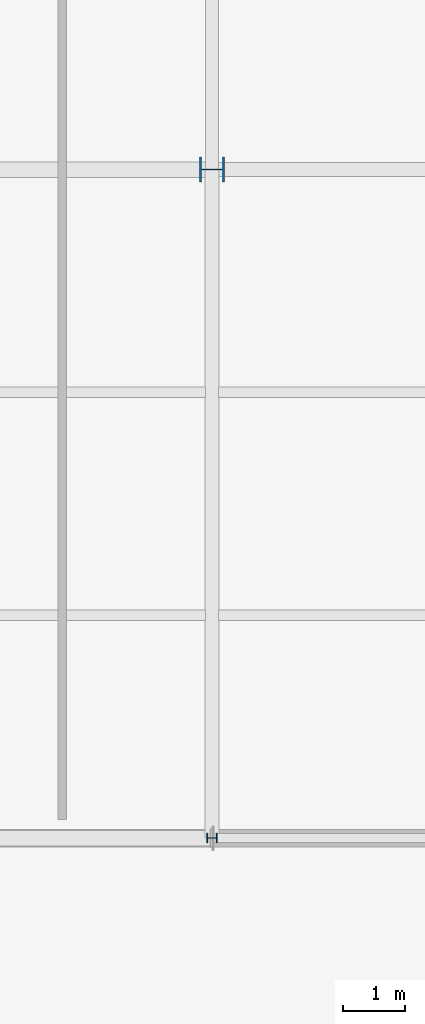
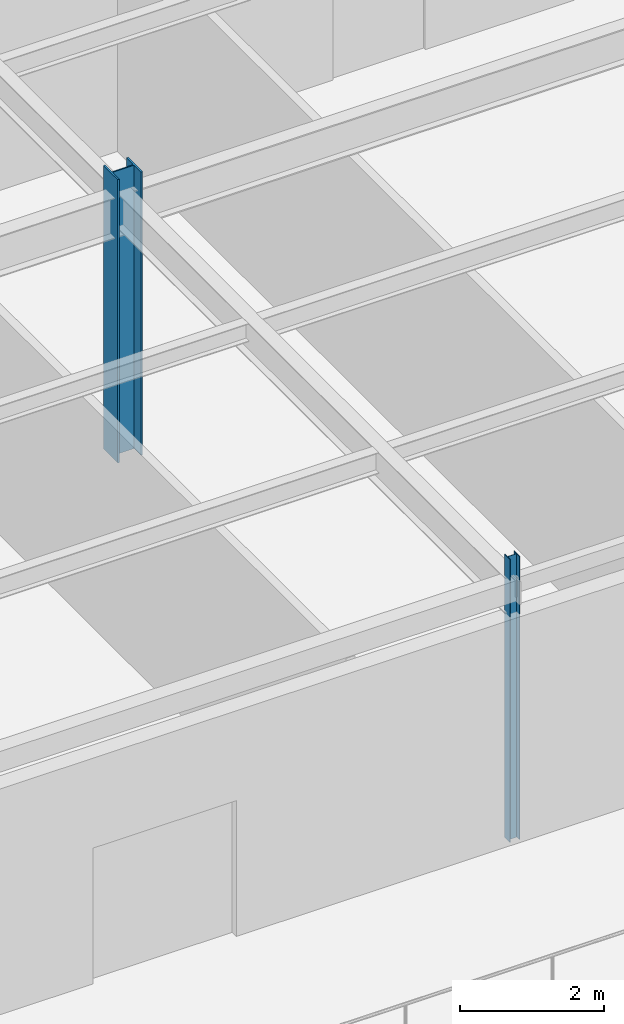
# One storey, part 42 of 199: 2 columns.
"""IFC4 building model written with IfcOpenShell, lengths in metres."""

import ifcopenshell
import ifcopenshell.guid

model = None  # the IFC model being written
_history = None  # IfcOwnerHistory: only IFC2X3 demands one
_inside = {}  # id of a spatial element -> (the spatial element, [elements in it])
_under = {}  # id of a project, library or spatial element -> (it, [spatial elements below it])
_declared = {}  # id of a project -> (the project, [libraries it declares])
_typed = {}  # id of a type object -> (the type object, [elements of that type])
_made_of = {}  # id of a material, layer set ... -> (it, [elements and type objects made of it])


def new_model(schema):
    """Start an empty IFC model of exactly this schema.

    Asked for "IFC4X3", IfcOpenShell would pick the latest addendum, in which some entities
    have other attributes; the version numbers below select the first issue.
    IFC2X3 requires an IfcOwnerHistory on every rooted entity: one is made here for all.
    """
    global model, _history
    if schema == "IFC4X3":
        model = ifcopenshell.file(schema_version=(4, 3, 0, 0))
    else:
        model = ifcopenshell.file(schema=schema)
    _inside.clear()
    _under.clear()
    _declared.clear()
    _typed.clear()
    _made_of.clear()
    _history = None
    if model.schema == "IFC2X3":
        org = make("IfcOrganization", Name="unknown")
        user = make(
            "IfcPersonAndOrganization",
            ThePerson=make("IfcPerson", FamilyName="unknown"),
            TheOrganization=org,
        )
        app = make(
            "IfcApplication",
            ApplicationDeveloper=org,
            Version="unknown",
            ApplicationFullName="unknown",
            ApplicationIdentifier="unknown",
        )
        _history = make(
            "IfcOwnerHistory",
            OwningUser=user,
            OwningApplication=app,
            ChangeAction="ADDED",
            CreationDate=0,
        )
    return model


def make(cls, **values):
    """One entity of the class cls with the attributes given. An attribute that is None is left unset."""
    return model.create_entity(
        cls, **{name: value for name, value in values.items() if value is not None}
    )


def rooted(cls, **values):
    """An entity with a GlobalId (a new one), such as an element, a storey or a relation."""
    return make(cls, GlobalId=ifcopenshell.guid.new(), OwnerHistory=_history, **values)


def si_unit(unit_type, name, prefix=None):
    """IfcSIUnit, for example si_unit("LENGTHUNIT", "METRE", prefix="MILLI")."""
    return make("IfcSIUnit", UnitType=unit_type, Prefix=prefix, Name=name)


def assignment(units):
    """IfcUnitAssignment: the units of a project."""
    return None if units is None else make("IfcUnitAssignment", Units=units)


def point(xyz):
    """IfcCartesianPoint."""
    return None if xyz is None else make("IfcCartesianPoint", Coordinates=xyz)


def direction(xyz):
    """IfcDirection."""
    return None if xyz is None else make("IfcDirection", DirectionRatios=xyz)


def frame(location, z_axis=None, x_axis=None):
    """IfcAxis2Placement3D, a coordinate frame: its origin and axes. An axis left out is left unset."""
    return make(
        "IfcAxis2Placement3D",
        Location=point(location),
        Axis=direction(z_axis),
        RefDirection=direction(x_axis),
    )


def frame_2d(location, x_axis=None):
    """IfcAxis2Placement2D, a coordinate frame in the plane: its origin and x axis."""
    return make(
        "IfcAxis2Placement2D", Location=point(location), RefDirection=direction(x_axis)
    )


def origin():
    """The frame at (0, 0, 0) with its axes left unset."""
    return frame((0.0, 0.0, 0.0))


def origin_2d():
    """The frame at (0, 0) in the plane with its x axis left unset."""
    return frame_2d((0.0, 0.0))


def place(relative_to, where):
    """IfcLocalPlacement: puts the frame where relative to a parent placement (None: the world)."""
    return make(
        "IfcLocalPlacement", PlacementRelTo=relative_to, RelativePlacement=where
    )


def context(
    kind, dimensions, precision=None, world=None, true_north=None, identifier=None
):
    """IfcGeometricRepresentationContext, for example the 3D "Model" context."""
    return make(
        "IfcGeometricRepresentationContext",
        ContextIdentifier=identifier,
        ContextType=kind,
        CoordinateSpaceDimension=dimensions,
        Precision=precision,
        WorldCoordinateSystem=world,
        TrueNorth=true_north,
    )


def subcontext(parent, identifier, kind, view, scale=None):
    """IfcGeometricRepresentationSubContext, for example "Body" below "Model"."""
    return make(
        "IfcGeometricRepresentationSubContext",
        ContextIdentifier=identifier,
        ContextType=kind,
        ParentContext=parent,
        TargetScale=scale,
        TargetView=view,
    )


def project(units=None, contexts=None):
    """IfcProject with its units and contexts."""
    return rooted(
        "IfcProject",
        Name="project",
        RepresentationContexts=contexts,
        UnitsInContext=assignment(units),
    )


def spatial(cls, under=None, at=None, **own):
    """A site, building, storey or space (cls), placed at a placement, below another one or the project."""
    s = rooted(cls, ObjectPlacement=at, **own)
    if under is not None:
        _under.setdefault(under.id(), (under, []))[1].append(s)
    return s


def profile(cls, at=None, kind="AREA", **sizes):
    """A parametric profile (cls). Its sizes go by their IFC names, for example OverallWidth=200.0."""
    return make(cls, ProfileType=kind, Position=at, **sizes)


def i_section(**sizes):
    """IfcIShapeProfileDef."""
    return profile("IfcIShapeProfileDef", **sizes)


def extrude(swept, where, along, depth):
    """IfcExtrudedAreaSolid: the profile swept, set in the frame where, extruded along a direction by depth."""
    return make(
        "IfcExtrudedAreaSolid",
        SweptArea=swept,
        Position=where,
        ExtrudedDirection=direction(along),
        Depth=depth,
    )


def shape(context_of_items, identifier, shape_type, items):
    """IfcShapeRepresentation: the items that make up one representation, for example the "Body"."""
    return make(
        "IfcShapeRepresentation",
        ContextOfItems=context_of_items,
        RepresentationIdentifier=identifier,
        RepresentationType=shape_type,
        Items=items,
    )


def material(Name=None, Category=None):
    """IfcMaterial."""
    return make("IfcMaterial", Name=Name, Category=Category)


def material_profile(
    of_material, cross_section, Name=None, Category=None, Priority=None
):
    """IfcMaterialProfile: a cross section and its material."""
    return make(
        "IfcMaterialProfile",
        Name=Name,
        Material=of_material,
        Profile=cross_section,
        Priority=Priority,
        Category=Category,
    )


def profile_set(profiles, Name=None, composite=None):
    """IfcMaterialProfileSet."""
    return make(
        "IfcMaterialProfileSet",
        Name=Name,
        MaterialProfiles=profiles,
        CompositeProfile=composite,
    )


def made_of(thing, what):
    """Note that an element or type object is made of a material, layer set ...; save() writes the relation."""
    if what is not None:
        _made_of.setdefault(what.id(), (what, []))[1].append(thing)
    return thing


def type_object(cls, material=None, **own):
    """A type object (cls), such as IfcWallType, which elements share."""
    return made_of(rooted(cls, **own), material)


def element(
    cls,
    number,
    at=None,
    inside=None,
    cuts=None,
    type_object=None,
    material=None,
    context=None,
    identifier="Body",
    shape_type=None,
    held_by="IfcProductDefinitionShape",
    body=None,
    shapes=None,
    **own,
):
    """One element of the class cls, such as IfcWall. Its Tag is "e" and its number.

    at: its placement. inside: the storey or other place that contains it. cuts: it is an
    opening in that element (IfcRelVoidsElement). A single representation is given by context,
    identifier, shape_type and body (its items); several are given by shapes. held_by: the class
    of the entity that holds the representations. save() writes the other relations.
    """
    e = rooted(cls, Tag="e%d" % number, ObjectPlacement=at, **own)
    if body is not None:
        shapes = [shape(context, identifier, shape_type, body)]
    if shapes is not None:
        e.Representation = make(held_by, Representations=shapes)
    if inside is not None:
        _inside.setdefault(inside.id(), (inside, []))[1].append(e)
    if cuts is not None:
        rooted(
            "IfcRelVoidsElement", RelatingBuildingElement=cuts, RelatedOpeningElement=e
        )
    if type_object is not None:
        _typed.setdefault(type_object.id(), (type_object, []))[1].append(e)
    return made_of(e, material)


def aggregate(whole, parts):
    """IfcRelAggregates: a whole, such as a stair, and the parts it consists of."""
    return rooted("IfcRelAggregates", RelatingObject=whole, RelatedObjects=parts)


def save(model, path):
    """Write the relations noted so far, then the file.

    IfcRelAggregates (storeys below a building ...), IfcRelContainedInSpatialStructure (elements
    in a storey), IfcRelDefinesByType, IfcRelAssociatesMaterial and IfcRelDeclares: one each for
    every whole, place, type object, material and project.
    """
    for whole, parts in _under.values():
        aggregate(whole, parts)
    for where, things in _inside.values():
        rooted(
            "IfcRelContainedInSpatialStructure",
            RelatedElements=things,
            RelatingStructure=where,
        )
    for kind, things in _typed.values():
        rooted("IfcRelDefinesByType", RelatedObjects=things, RelatingType=kind)
    for what, things in _made_of.values():
        rooted("IfcRelAssociatesMaterial", RelatedObjects=things, RelatingMaterial=what)
    for by, libraries in _declared.values():
        rooted("IfcRelDeclares", RelatingContext=by, RelatedDefinitions=libraries)
    model.write(path)


model = new_model("IFC4")

# Units and contexts
model_context = context("Model", 3, precision=1e-05, world=origin(), true_north=direction((0.0, 1.0)))
body_context = subcontext(model_context, "Body", "Model", "MODEL_VIEW")
ifc_project = project(units=[si_unit("LENGTHUNIT", "METRE"), si_unit("AREAUNIT", "SQUARE_METRE"), si_unit("VOLUMEUNIT", "CUBIC_METRE"), si_unit("PLANEANGLEUNIT", "RADIAN"), si_unit("MASSUNIT", "GRAM", prefix="KILO")], contexts=[model_context])

# Site, building, storey
site_placement = place(None, origin())
site = spatial("IfcSite", under=ifc_project, at=site_placement, CompositionType="ELEMENT")
building_placement = place(site_placement, origin())
building = spatial("IfcBuilding", under=site, at=building_placement, Name="Tarnwether General Hospital", CompositionType="ELEMENT")
storey_placement = place(building_placement, origin())
storey = spatial("IfcBuildingStorey", under=building, at=storey_placement, Name="L00", CompositionType="ELEMENT", Elevation=0.0)

# Columns
ifc_material_1 = material(Name="Steel Grade 350 (350 MPa)", Category="steel")
ifc_material_profile_1 = material_profile(ifc_material_1, i_section(OverallWidth=0.39990234375, OverallDepth=0.39990234375, WebThickness=0.02001953125, FlangeThickness=0.028076171875, at=origin_2d()), Name="400WC270")
ifc_profile_set_1 = profile_set([ifc_material_profile_1], Name="Steel Grade 350 (350 MPa)")
column_type_1 = type_object("IfcColumnType", Name="COL-02", PredefinedType="COLUMN", material=ifc_profile_set_1)
column_1_placement = place(storey_placement, frame((180.0, 10.800048828125, 0.0), z_axis=(0.0, 0.0, 1.0), x_axis=(0.0, 1.0, 0.0)))
element("IfcColumn", 1, at=column_1_placement, inside=storey, type_object=column_type_1, Name="Column COLG-L00-18000_1080", PredefinedType="COLUMN", context=body_context, shape_type="SweptSolid", body=[
    extrude(i_section(OverallWidth=0.39990234375, OverallDepth=0.39990234375, WebThickness=0.02001953125, FlangeThickness=0.028076171875, at=origin_2d()), origin(), (0.0, 0.0, 1.0), 4.800048828125),
])
ifc_material_2 = material(Name="Steel Grade 350 (350 MPa)", Category="steel")
ifc_material_profile_2 = material_profile(ifc_material_2, i_section(OverallWidth=0.154052734375, OverallDepth=0.162109375, WebThickness=0.008056640625, FlangeThickness=0.011474609375, at=origin_2d()), Name="150UC37.2")
ifc_profile_set_2 = profile_set([ifc_material_profile_2], Name="Steel Grade 350 (350 MPa)")
column_type_2 = type_object("IfcColumnType", Name="COL-28", PredefinedType="COLUMN", material=ifc_profile_set_2)
column_2_placement = place(storey_placement, frame((180.0, 0.0, 0.0), z_axis=(0.0, 0.0, 1.0), x_axis=(0.0, 1.0, 0.0)))
element("IfcColumn", 2, at=column_2_placement, inside=storey, type_object=column_type_2, Name="Column COLG-L00-18000_0", PredefinedType="COLUMN", context=body_context, shape_type="SweptSolid", body=[
    extrude(i_section(OverallWidth=0.154052734375, OverallDepth=0.162109375, WebThickness=0.008056640625, FlangeThickness=0.011474609375, at=origin_2d()), origin(), (0.0, 0.0, 1.0), 4.800048828125),
])

save(model, "model.ifc")
